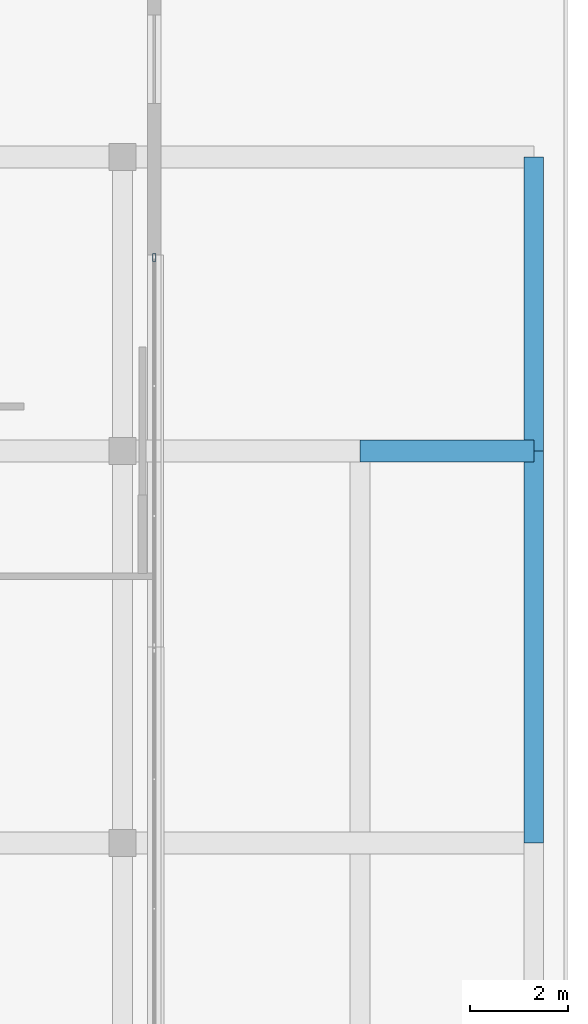
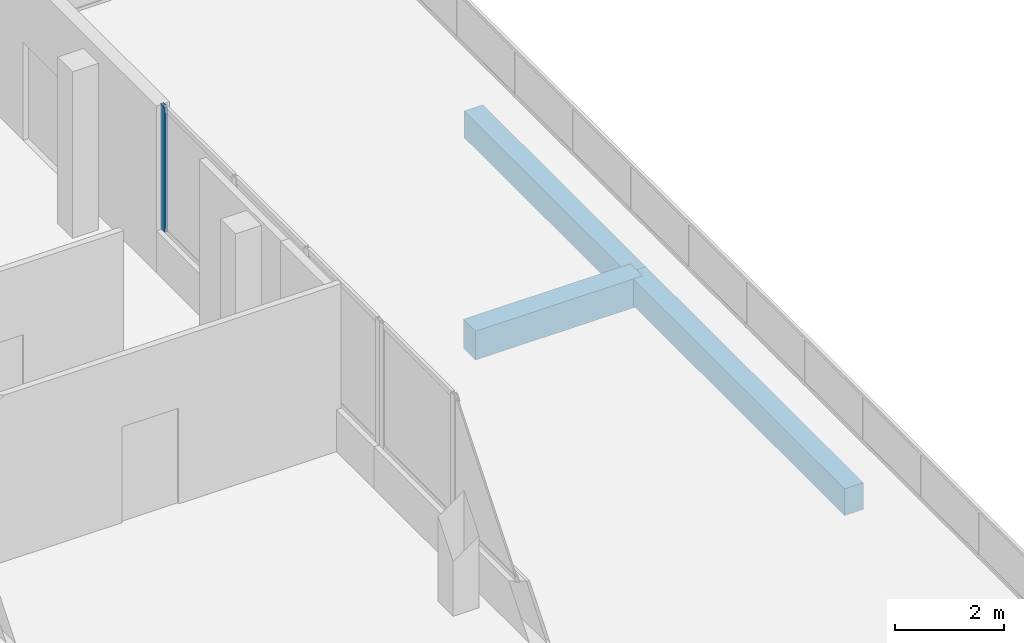
# One storey, part 49 of 67: 3 beams, 1 member, 1 element without a shape of its own.
"""IFC4 building model written with IfcOpenShell, lengths in metres."""

from ifc_helpers import new_model, si_unit, direction, frame, origin, origin_2d, place, context, subcontext, project, spatial, rectangle, hollow_rectangle, extrude, material, material_profile, profile_set, type_object, element, aggregate, save


model = new_model("IFC4")

# Units and contexts
model_context = context("Model", 3, precision=1e-05, world=origin(), true_north=direction((0.0, 1.0)))
body_context = subcontext(model_context, "Body", "Model", "MODEL_VIEW")
ifc_project = project(units=[si_unit("LENGTHUNIT", "METRE"), si_unit("AREAUNIT", "SQUARE_METRE"), si_unit("VOLUMEUNIT", "CUBIC_METRE"), si_unit("PLANEANGLEUNIT", "RADIAN"), si_unit("MASSUNIT", "GRAM", prefix="KILO")], contexts=[model_context])

# Site, building, storey
site_placement = place(None, origin())
site = spatial("IfcSite", under=ifc_project, at=site_placement, CompositionType="ELEMENT")
building_placement = place(site_placement, origin())
building = spatial("IfcBuilding", under=site, at=building_placement, Name="Selatvlak General Hospital", CompositionType="ELEMENT")
storey_placement = place(building_placement, frame((0.0, 0.0, 35.39990234375)))
storey = spatial("IfcBuildingStorey", under=building, at=storey_placement, Name="L08", CompositionType="ELEMENT", Elevation=35.39990234375)

# Beams
ifc_material_1 = material(Name="Concrete C40/50", Category="concrete")
ifc_material_profile_1 = material_profile(ifc_material_1, rectangle(XDim=0.449951171875, YDim=0.64990234375, at=origin_2d()), Name="RC-BM 450x650")
ifc_profile_set_1 = profile_set([ifc_material_profile_1], Name="Concrete C40/50")
beam_type_1 = type_object("IfcBeamType", Name="BM-G04", PredefinedType="BEAM", material=ifc_profile_set_1)
beam_1_placement = place(storey_placement, frame((161.39990234375, 108.0, -0.596923828125), z_axis=(1.0, 0.0, 0.0), x_axis=(0.0, 1.0, 0.0)))
element("IfcBeam", 1, at=beam_1_placement, inside=storey, type_object=beam_type_1, Name="Beam BMR-L08-2617", PredefinedType="BEAM", context=body_context, shape_type="SweptSolid", body=[
    extrude(rectangle(XDim=0.449951171875, YDim=0.64990234375, at=origin_2d()), origin(), (0.0, 0.0, 1.0), 3.550048828125),
])
ifc_material_profile_2 = material_profile(ifc_material_1, rectangle(XDim=0.39990234375, YDim=0.60009765625, at=origin_2d()), Name="RC-BM 400x600")
ifc_profile_set_2 = profile_set([ifc_material_profile_2], Name="Concrete C40/50")
beam_type_2 = type_object("IfcBeamType", Name="BM-G05", PredefinedType="BEAM", material=ifc_profile_set_2)
beam_2_placement = place(storey_placement, frame((164.949951171875, 100.0, -0.572021484375), z_axis=(0.0, 1.0, 0.0), x_axis=(-1.0, 0.0, 0.0)))
element("IfcBeam", 2, at=beam_2_placement, inside=storey, type_object=beam_type_2, Name="Beam BMR-L08-2713", PredefinedType="BEAM", context=body_context, shape_type="SweptSolid", body=[
    extrude(rectangle(XDim=0.39990234375, YDim=0.60009765625, at=origin_2d()), origin(), (0.0, 0.0, 1.0), 8.0),
])
beam_3_placement = place(storey_placement, frame((164.949951171875, 108.0, -0.572021484375), z_axis=(0.0, 1.0, 0.0), x_axis=(-1.0, 0.0, 0.0)))
element("IfcBeam", 3, at=beam_3_placement, inside=storey, type_object=beam_type_2, Name="Beam BMR-L08-2714", PredefinedType="BEAM", context=body_context, shape_type="SweptSolid", body=[
    extrude(rectangle(XDim=0.39990234375, YDim=0.60009765625, at=origin_2d()), origin(), (0.0, 0.0, 1.0), 6.0),
])

# Curtain wall, member
ifc_material_2 = material(Name="Solar-control Low-E double glazing", Category="glass")
curtain_wall_type = type_object("IfcCurtainWallType", Name="CW-CW-01", PredefinedType="USERDEFINED", material=ifc_material_2)
curtain_wall_placement = place(storey_placement, origin())
curtain_wall = element("IfcCurtainWall", 4, at=curtain_wall_placement, inside=storey, type_object=curtain_wall_type, Name="Glazed facade curtain wall CW-L08-0698", ObjectType="UNITISED CURTAIN WALL", PredefinedType="USERDEFINED")
ifc_material_3 = material(Name="Dark anodised aluminium mullion", Category="aluminium")
ifc_material_profile_3 = material_profile(ifc_material_3, hollow_rectangle(XDim=0.06494140625, YDim=0.159912109375, WallThickness=0.00390625, at=origin_2d()), Name="AL-MUL 65x160x4")
ifc_profile_set_3 = profile_set([ifc_material_profile_3], Name="Dark anodised aluminium mullion")
member_type = type_object("IfcMemberType", Name="CWM-01", PredefinedType="MULLION", material=ifc_profile_set_3)
member_placement = place(storey_placement, frame((157.198974609375, 111.952392578125, 0.940185546875), z_axis=(0.0, 0.0, 1.0), x_axis=(0.999999992127, 0.000125486258, 0.0)))
member = element("IfcMember", 5, at=member_placement, type_object=member_type, Name="CW-01 mullion 1", PredefinedType="MULLION", context=body_context, shape_type="SweptSolid", body=[
    extrude(hollow_rectangle(XDim=0.06494140625, YDim=0.159912109375, WallThickness=0.00390625, at=origin_2d()), origin(), (0.0, 0.0, 1.0), 2.7998046875),
])
aggregate(curtain_wall, [member])

save(model, "model.ifc")
